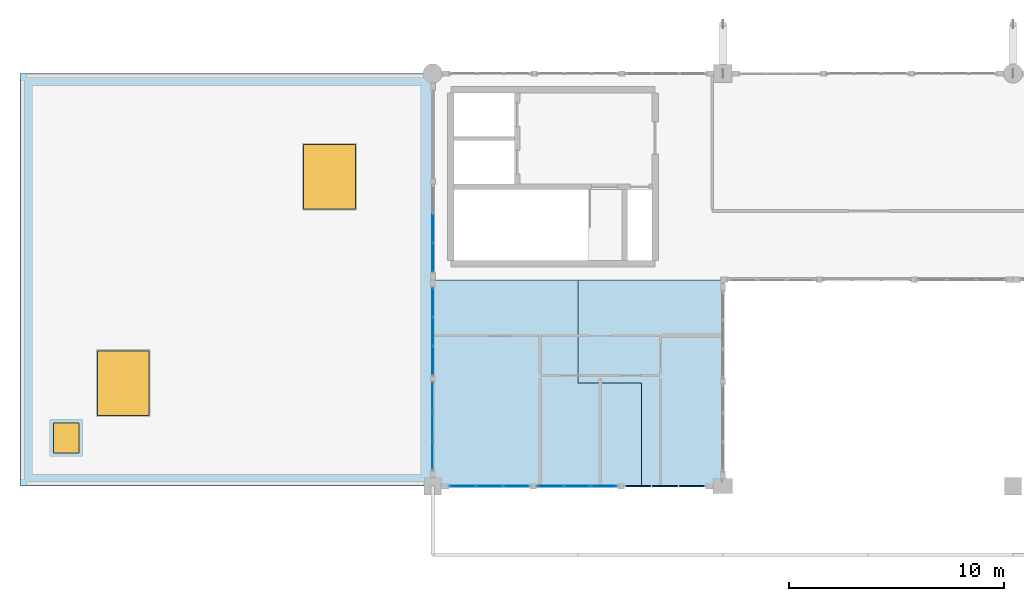
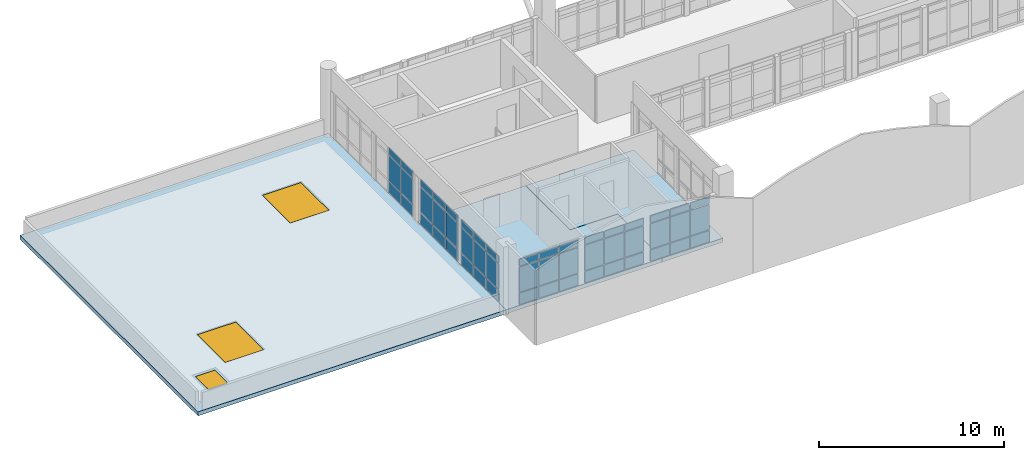
# One storey, part 23 of 37: 51 plates, 3 slabs, 3 windows, 3 openings, 6 elements without a shape of their own.
"""IFC4 building model written with IfcOpenShell, lengths in metres."""

from ifc_helpers import new_model, si_unit, direction, frame, origin, origin_2d, place, context, subcontext, project, spatial, polyline, rectangle, outline, extrude, material, layer, layer_set, type_object, element, fill, aggregate, save


model = new_model("IFC4")

# Units and contexts
model_context = context("Model", 3, precision=1e-05, world=origin(), true_north=direction((0.0, 1.0)))
body_context = subcontext(model_context, "Body", "Model", "MODEL_VIEW")
ifc_project = project(units=[si_unit("LENGTHUNIT", "METRE"), si_unit("AREAUNIT", "SQUARE_METRE"), si_unit("VOLUMEUNIT", "CUBIC_METRE"), si_unit("PLANEANGLEUNIT", "RADIAN"), si_unit("MASSUNIT", "GRAM", prefix="KILO")], contexts=[model_context])

# Site, building, storey
site_placement = place(None, origin())
site = spatial("IfcSite", under=ifc_project, at=site_placement, CompositionType="ELEMENT")
building_placement = place(site_placement, origin())
building = spatial("IfcBuilding", under=site, at=building_placement, Name="Fikremerkos Civic Library", CompositionType="ELEMENT")
storey_placement = place(building_placement, frame((0.0, 0.0, 23.39990234375)))
storey = spatial("IfcBuildingStorey", under=building, at=storey_placement, Name="L05", CompositionType="ELEMENT", Elevation=23.39990234375)

# Curtain wall, plates
ifc_material_1 = material(Name="Anodized aluminium Frame", Category="aluminium")
ifc_layer_1 = layer(ifc_material_1, 0.159912109375, Name="Anodized aluminium Frame")
ifc_layer_set_1 = layer_set([ifc_layer_1], Name="Anodized aluminium Frame")
curtain_wall_type_1 = type_object("IfcCurtainWallType", Name="Unitised curtain wall CW-17 4600x3600", PredefinedType="USERDEFINED", material=ifc_layer_set_1)
curtain_wall_1_placement = place(storey_placement, origin())
curtain_wall_1 = element("IfcCurtainWall", 1, at=curtain_wall_1_placement, inside=storey, type_object=curtain_wall_type_1, Name="Unitised curtain wall CW-17 L05 #251", ObjectType="UNITISED CURTAIN WALL", PredefinedType="USERDEFINED")
ifc_material_2 = material(Name="Solar control double glazing", Category="glass")
ifc_layer_2 = layer(ifc_material_2, 0.028076171875, Name="Solar control double glazing")
ifc_layer_set_2 = layer_set([ifc_layer_2], Name="Solar control double glazing")
plate_type_1 = type_object("IfcPlateType", Name="Curtain glazing panel CWP-01 28", PredefinedType="CURTAIN_PANEL", material=ifc_layer_set_2)
plate_1_placement = place(storey_placement, frame((27.17041015625, 12.0, 0.070068359375), z_axis=(0.0, 0.0, 1.0), x_axis=(-1.0, 0.0, 0.0)))
plate_1 = element("IfcPlate", 2, at=plate_1_placement, type_object=plate_type_1, Name="CW-17 panel 1.1", PredefinedType="CURTAIN_PANEL", context=body_context, shape_type="SweptSolid", body=[
    extrude(rectangle(XDim=1.1640625, YDim=0.028076171875, at=origin_2d()), origin(), (0.0, 0.0, 1.0), 0.7451171875),
])
plate_2_placement = place(storey_placement, frame((27.17041015625, 12.0, 0.88525390625), z_axis=(0.0, 0.0, 1.0), x_axis=(-1.0, 0.0, 0.0)))
plate_2 = element("IfcPlate", 3, at=plate_2_placement, type_object=plate_type_1, Name="CW-17 panel 1.2", PredefinedType="CURTAIN_PANEL", context=body_context, shape_type="SweptSolid", body=[
    extrude(rectangle(XDim=1.1640625, YDim=0.028076171875, at=origin_2d()), origin(), (0.0, 0.0, 1.0), 1.64990234375),
])
plate_3_placement = place(storey_placement, frame((27.17041015625, 12.0, 2.60498046875), z_axis=(0.0, 0.0, 1.0), x_axis=(-1.0, 0.0, 0.0)))
plate_3 = element("IfcPlate", 4, at=plate_3_placement, type_object=plate_type_1, Name="CW-17 panel 1.3", PredefinedType="CURTAIN_PANEL", context=body_context, shape_type="SweptSolid", body=[
    extrude(rectangle(XDim=1.1640625, YDim=0.028076171875, at=origin_2d()), origin(), (0.0, 0.0, 1.0), 0.445068359375),
])
plate_4_placement = place(storey_placement, frame((25.925048828125, 12.0, 0.070068359375), z_axis=(0.0, 0.0, 1.0), x_axis=(-1.0, 0.0, 0.0)))
plate_4 = element("IfcPlate", 5, at=plate_4_placement, type_object=plate_type_1, Name="CW-17 panel 2.1", PredefinedType="CURTAIN_PANEL", context=body_context, shape_type="SweptSolid", body=[
    extrude(rectangle(XDim=1.196533203125, YDim=0.028076171875, at=origin_2d()), origin(), (0.0, 0.0, 1.0), 0.7451171875),
])
plate_5_placement = place(storey_placement, frame((25.925048828125, 12.0, 0.88525390625), z_axis=(0.0, 0.0, 1.0), x_axis=(-1.0, 0.0, 0.0)))
plate_5 = element("IfcPlate", 6, at=plate_5_placement, type_object=plate_type_1, Name="CW-17 panel 2.2", PredefinedType="CURTAIN_PANEL", context=body_context, shape_type="SweptSolid", body=[
    extrude(rectangle(XDim=1.196533203125, YDim=0.028076171875, at=origin_2d()), origin(), (0.0, 0.0, 1.0), 1.64990234375),
])
plate_6_placement = place(storey_placement, frame((25.925048828125, 12.0, 2.60498046875), z_axis=(0.0, 0.0, 1.0), x_axis=(-1.0, 0.0, 0.0)))
plate_6 = element("IfcPlate", 7, at=plate_6_placement, type_object=plate_type_1, Name="CW-17 panel 2.3", PredefinedType="CURTAIN_PANEL", context=body_context, shape_type="SweptSolid", body=[
    extrude(rectangle(XDim=1.196533203125, YDim=0.028076171875, at=origin_2d()), origin(), (0.0, 0.0, 1.0), 0.445068359375),
])
plate_7_placement = place(storey_placement, frame((24.6796875, 12.0, 0.070068359375), z_axis=(0.0, 0.0, 1.0), x_axis=(-1.0, 0.0, 0.0)))
plate_7 = element("IfcPlate", 8, at=plate_7_placement, type_object=plate_type_1, Name="CW-17 panel 3.1", PredefinedType="CURTAIN_PANEL", context=body_context, shape_type="SweptSolid", body=[
    extrude(rectangle(XDim=1.1640625, YDim=0.028076171875, at=origin_2d()), origin(), (0.0, 0.0, 1.0), 0.7451171875),
])
plate_8_placement = place(storey_placement, frame((24.6796875, 12.0, 0.88525390625), z_axis=(0.0, 0.0, 1.0), x_axis=(-1.0, 0.0, 0.0)))
plate_8 = element("IfcPlate", 9, at=plate_8_placement, type_object=plate_type_1, Name="CW-17 panel 3.2", PredefinedType="CURTAIN_PANEL", context=body_context, shape_type="SweptSolid", body=[
    extrude(rectangle(XDim=1.1640625, YDim=0.028076171875, at=origin_2d()), origin(), (0.0, 0.0, 1.0), 1.64990234375),
])
plate_9_placement = place(storey_placement, frame((24.6796875, 12.0, 2.60498046875), z_axis=(0.0, 0.0, 1.0), x_axis=(-1.0, 0.0, 0.0)))
plate_9 = element("IfcPlate", 10, at=plate_9_placement, type_object=plate_type_1, Name="CW-17 panel 3.3", PredefinedType="CURTAIN_PANEL", context=body_context, shape_type="SweptSolid", body=[
    extrude(rectangle(XDim=1.1640625, YDim=0.028076171875, at=origin_2d()), origin(), (0.0, 0.0, 1.0), 0.445068359375),
])
aggregate(curtain_wall_1, [plate_1, plate_2, plate_3, plate_4, plate_5, plate_6, plate_7, plate_8, plate_9])

ifc_layer_3 = layer(ifc_material_1, 0.159912109375, Name="Anodized aluminium Frame")
ifc_layer_set_3 = layer_set([ifc_layer_3], Name="Anodized aluminium Frame")
curtain_wall_type_2 = type_object("IfcCurtainWallType", Name="Unitised curtain wall CW-01 3600x3600", PredefinedType="USERDEFINED", material=ifc_layer_set_3)
curtain_wall_2_placement = place(storey_placement, origin())
curtain_wall_2 = element("IfcCurtainWall", 11, at=curtain_wall_2_placement, inside=storey, type_object=curtain_wall_type_2, Name="Unitised curtain wall CW-01 L05 #253", ObjectType="UNITISED CURTAIN WALL", PredefinedType="USERDEFINED")
plate_10_placement = place(storey_placement, frame((19.199951171875, 13.447509765625, 0.070068359375), z_axis=(0.0, 0.0, 1.0), x_axis=(0.0, 1.0, 0.0)))
plate_10 = element("IfcPlate", 12, at=plate_10_placement, type_object=plate_type_1, Name="CW-01 panel 1.1", PredefinedType="CURTAIN_PANEL", context=body_context, shape_type="SweptSolid", body=[
    extrude(rectangle(XDim=1.269287109375, YDim=0.028076171875, at=origin_2d()), origin(), (0.0, 0.0, 1.0), 0.7451171875),
])
plate_11_placement = place(storey_placement, frame((19.199951171875, 13.447509765625, 0.88525390625), z_axis=(0.0, 0.0, 1.0), x_axis=(0.0, 1.0, 0.0)))
plate_11 = element("IfcPlate", 13, at=plate_11_placement, type_object=plate_type_1, Name="CW-01 panel 1.2", PredefinedType="CURTAIN_PANEL", context=body_context, shape_type="SweptSolid", body=[
    extrude(rectangle(XDim=1.269287109375, YDim=0.028076171875, at=origin_2d()), origin(), (0.0, 0.0, 1.0), 1.64990234375),
])
plate_12_placement = place(storey_placement, frame((19.199951171875, 13.447509765625, 2.60498046875), z_axis=(0.0, 0.0, 1.0), x_axis=(0.0, 1.0, 0.0)))
plate_12 = element("IfcPlate", 14, at=plate_12_placement, type_object=plate_type_1, Name="CW-01 panel 1.3", PredefinedType="CURTAIN_PANEL", context=body_context, shape_type="SweptSolid", body=[
    extrude(rectangle(XDim=1.269287109375, YDim=0.028076171875, at=origin_2d()), origin(), (0.0, 0.0, 1.0), 0.445068359375),
])
plate_13_placement = place(storey_placement, frame((19.199951171875, 14.798095703125, 0.070068359375), z_axis=(0.0, 0.0, 1.0), x_axis=(0.0, 1.0, 0.0)))
plate_13 = element("IfcPlate", 15, at=plate_13_placement, type_object=plate_type_1, Name="CW-01 panel 2.1", PredefinedType="CURTAIN_PANEL", context=body_context, shape_type="SweptSolid", body=[
    extrude(rectangle(XDim=1.3017578125, YDim=0.028076171875, at=origin_2d()), origin(), (0.0, 0.0, 1.0), 0.7451171875),
])
plate_14_placement = place(storey_placement, frame((19.199951171875, 14.798095703125, 0.88525390625), z_axis=(0.0, 0.0, 1.0), x_axis=(0.0, 1.0, 0.0)))
plate_14 = element("IfcPlate", 16, at=plate_14_placement, type_object=plate_type_1, Name="CW-01 panel 2.2", PredefinedType="CURTAIN_PANEL", context=body_context, shape_type="SweptSolid", body=[
    extrude(rectangle(XDim=1.3017578125, YDim=0.028076171875, at=origin_2d()), origin(), (0.0, 0.0, 1.0), 1.64990234375),
])
plate_15_placement = place(storey_placement, frame((19.199951171875, 14.798095703125, 2.60498046875), z_axis=(0.0, 0.0, 1.0), x_axis=(0.0, 1.0, 0.0)))
plate_15 = element("IfcPlate", 17, at=plate_15_placement, type_object=plate_type_1, Name="CW-01 panel 2.3", PredefinedType="CURTAIN_PANEL", context=body_context, shape_type="SweptSolid", body=[
    extrude(rectangle(XDim=1.3017578125, YDim=0.028076171875, at=origin_2d()), origin(), (0.0, 0.0, 1.0), 0.445068359375),
])
plate_16_placement = place(storey_placement, frame((19.199951171875, 16.1484375, 0.070068359375), z_axis=(0.0, 0.0, 1.0), x_axis=(0.0, 1.0, 0.0)))
plate_16 = element("IfcPlate", 18, at=plate_16_placement, type_object=plate_type_1, Name="CW-01 panel 3.1", PredefinedType="CURTAIN_PANEL", context=body_context, shape_type="SweptSolid", body=[
    extrude(rectangle(XDim=1.269287109375, YDim=0.028076171875, at=origin_2d()), origin(), (0.0, 0.0, 1.0), 0.7451171875),
])
plate_17_placement = place(storey_placement, frame((19.199951171875, 16.1484375, 0.88525390625), z_axis=(0.0, 0.0, 1.0), x_axis=(0.0, 1.0, 0.0)))
plate_17 = element("IfcPlate", 19, at=plate_17_placement, type_object=plate_type_1, Name="CW-01 panel 3.2", PredefinedType="CURTAIN_PANEL", context=body_context, shape_type="SweptSolid", body=[
    extrude(rectangle(XDim=1.269287109375, YDim=0.028076171875, at=origin_2d()), origin(), (0.0, 0.0, 1.0), 1.64990234375),
])
plate_18_placement = place(storey_placement, frame((19.199951171875, 16.1484375, 2.60498046875), z_axis=(0.0, 0.0, 1.0), x_axis=(0.0, 1.0, 0.0)))
plate_18 = element("IfcPlate", 20, at=plate_18_placement, type_object=plate_type_1, Name="CW-01 panel 3.3", PredefinedType="CURTAIN_PANEL", context=body_context, shape_type="SweptSolid", body=[
    extrude(rectangle(XDim=1.269287109375, YDim=0.028076171875, at=origin_2d()), origin(), (0.0, 0.0, 1.0), 0.445068359375),
])
aggregate(curtain_wall_2, [plate_10, plate_11, plate_12, plate_13, plate_14, plate_15, plate_16, plate_17, plate_18])

ifc_layer_4 = layer(ifc_material_1, 0.159912109375, Name="Anodized aluminium Frame")
ifc_layer_set_4 = layer_set([ifc_layer_4], Name="Anodized aluminium Frame")
curtain_wall_type_3 = type_object("IfcCurtainWallType", Name="Unitised curtain wall CW-18 2700x3400", PredefinedType="USERDEFINED", material=ifc_layer_set_4)
curtain_wall_3_placement = place(storey_placement, origin())
curtain_wall_3 = element("IfcCurtainWall", 21, at=curtain_wall_3_placement, inside=storey, type_object=curtain_wall_type_3, Name="Unitised curtain wall CW-18 L05 #252", ObjectType="UNITISED CURTAIN WALL", PredefinedType="USERDEFINED")
ifc_layer_5 = layer(ifc_material_2, 0.035888671875, Name="Solar control double glazing")
ifc_layer_set_5 = layer_set([ifc_layer_5], Name="Solar control double glazing")
plate_type_2 = type_object("IfcPlateType", Name="Curtain glazing panel CWP-02 36", PredefinedType="CURTAIN_PANEL", material=ifc_layer_set_5)
plate_19_placement = place(storey_placement, frame((23.0869140625, 12.0, 0.070068359375), z_axis=(0.0, 0.0, 1.0), x_axis=(-1.0, 0.0, 0.0)))
plate_19 = element("IfcPlate", 22, at=plate_19_placement, type_object=plate_type_2, Name="CW-18 panel 1.1", PredefinedType="CURTAIN_PANEL", context=body_context, shape_type="SweptSolid", body=[
    extrude(rectangle(XDim=1.171630859375, YDim=0.035888671875, at=origin_2d()), origin(), (0.0, 0.0, 1.0), 0.7451171875),
])
plate_20_placement = place(storey_placement, frame((23.0869140625, 12.0, 0.88525390625), z_axis=(0.0, 0.0, 1.0), x_axis=(-1.0, 0.0, 0.0)))
plate_20 = element("IfcPlate", 23, at=plate_20_placement, type_object=plate_type_2, Name="CW-18 panel 1.2", PredefinedType="CURTAIN_PANEL", context=body_context, shape_type="SweptSolid", body=[
    extrude(rectangle(XDim=1.171630859375, YDim=0.035888671875, at=origin_2d()), origin(), (0.0, 0.0, 1.0), 1.64990234375),
])
plate_21_placement = place(storey_placement, frame((23.0869140625, 12.0, 2.60498046875), z_axis=(0.0, 0.0, 1.0), x_axis=(-1.0, 0.0, 0.0)))
plate_21 = element("IfcPlate", 24, at=plate_21_placement, type_object=plate_type_2, Name="CW-18 panel 1.3", PredefinedType="CURTAIN_PANEL", context=body_context, shape_type="SweptSolid", body=[
    extrude(rectangle(XDim=1.171630859375, YDim=0.035888671875, at=origin_2d()), origin(), (0.0, 0.0, 1.0), 0.445068359375),
])
plate_22_placement = place(storey_placement, frame((21.84033203125, 12.0, 0.070068359375), z_axis=(0.0, 0.0, 1.0), x_axis=(-1.0, 0.0, 0.0)))
plate_22 = element("IfcPlate", 25, at=plate_22_placement, type_object=plate_type_2, Name="CW-18 panel 2.1", PredefinedType="CURTAIN_PANEL", context=body_context, shape_type="SweptSolid", body=[
    extrude(rectangle(XDim=1.20166015625, YDim=0.035888671875, at=origin_2d()), origin(), (0.0, 0.0, 1.0), 0.7451171875),
])
plate_23_placement = place(storey_placement, frame((21.84033203125, 12.0, 0.88525390625), z_axis=(0.0, 0.0, 1.0), x_axis=(-1.0, 0.0, 0.0)))
plate_23 = element("IfcPlate", 26, at=plate_23_placement, type_object=plate_type_2, Name="CW-18 panel 2.2", PredefinedType="CURTAIN_PANEL", context=body_context, shape_type="SweptSolid", body=[
    extrude(rectangle(XDim=1.20166015625, YDim=0.035888671875, at=origin_2d()), origin(), (0.0, 0.0, 1.0), 1.64990234375),
])
plate_24_placement = place(storey_placement, frame((21.84033203125, 12.0, 2.60498046875), z_axis=(0.0, 0.0, 1.0), x_axis=(-1.0, 0.0, 0.0)))
plate_24 = element("IfcPlate", 27, at=plate_24_placement, type_object=plate_type_2, Name="CW-18 panel 2.3", PredefinedType="CURTAIN_PANEL", context=body_context, shape_type="SweptSolid", body=[
    extrude(rectangle(XDim=1.20166015625, YDim=0.035888671875, at=origin_2d()), origin(), (0.0, 0.0, 1.0), 0.445068359375),
])
plate_25_placement = place(storey_placement, frame((20.59375, 12.0, 0.070068359375), z_axis=(0.0, 0.0, 1.0), x_axis=(-1.0, 0.0, 0.0)))
plate_25 = element("IfcPlate", 28, at=plate_25_placement, type_object=plate_type_2, Name="CW-18 panel 3.1", PredefinedType="CURTAIN_PANEL", context=body_context, shape_type="SweptSolid", body=[
    extrude(rectangle(XDim=1.171630859375, YDim=0.035888671875, at=origin_2d()), origin(), (0.0, 0.0, 1.0), 0.7451171875),
])
plate_26_placement = place(storey_placement, frame((20.59375, 12.0, 0.88525390625), z_axis=(0.0, 0.0, 1.0), x_axis=(-1.0, 0.0, 0.0)))
plate_26 = element("IfcPlate", 29, at=plate_26_placement, type_object=plate_type_2, Name="CW-18 panel 3.2", PredefinedType="CURTAIN_PANEL", context=body_context, shape_type="SweptSolid", body=[
    extrude(rectangle(XDim=1.171630859375, YDim=0.035888671875, at=origin_2d()), origin(), (0.0, 0.0, 1.0), 1.64990234375),
])
plate_27_placement = place(storey_placement, frame((20.59375, 12.0, 2.60498046875), z_axis=(0.0, 0.0, 1.0), x_axis=(-1.0, 0.0, 0.0)))
plate_27 = element("IfcPlate", 30, at=plate_27_placement, type_object=plate_type_2, Name="CW-18 panel 3.3", PredefinedType="CURTAIN_PANEL", context=body_context, shape_type="SweptSolid", body=[
    extrude(rectangle(XDim=1.171630859375, YDim=0.035888671875, at=origin_2d()), origin(), (0.0, 0.0, 1.0), 0.445068359375),
])
aggregate(curtain_wall_3, [plate_19, plate_20, plate_21, plate_22, plate_23, plate_24, plate_25, plate_26, plate_27])

ifc_layer_6 = layer(ifc_material_1, 0.159912109375, Name="Anodized aluminium Frame")
ifc_layer_set_6 = layer_set([ifc_layer_6], Name="Anodized aluminium Frame")
curtain_wall_type_4 = type_object("IfcCurtainWallType", Name="Unitised curtain wall CW-02 3900x3600", PredefinedType="USERDEFINED", material=ifc_layer_set_6)
curtain_wall_4_placement = place(storey_placement, origin())
curtain_wall_4 = element("IfcCurtainWall", 31, at=curtain_wall_4_placement, inside=storey, type_object=curtain_wall_type_4, Name="Unitised curtain wall CW-02 L05 #254", ObjectType="UNITISED CURTAIN WALL", PredefinedType="USERDEFINED")
plate_28_placement = place(storey_placement, frame((19.199951171875, 17.846435546875, 0.070068359375), z_axis=(0.0, 0.0, 1.0), x_axis=(0.0, 1.0, 0.0)))
plate_28 = element("IfcPlate", 32, at=plate_28_placement, type_object=plate_type_2, Name="CW-02 panel 1.1", PredefinedType="CURTAIN_PANEL", context=body_context, shape_type="SweptSolid", body=[
    extrude(rectangle(XDim=1.276611328125, YDim=0.035888671875, at=origin_2d()), origin(), (0.0, 0.0, 1.0), 0.7451171875),
])
plate_29_placement = place(storey_placement, frame((19.199951171875, 17.846435546875, 0.88525390625), z_axis=(0.0, 0.0, 1.0), x_axis=(0.0, 1.0, 0.0)))
plate_29 = element("IfcPlate", 33, at=plate_29_placement, type_object=plate_type_2, Name="CW-02 panel 1.2", PredefinedType="CURTAIN_PANEL", context=body_context, shape_type="SweptSolid", body=[
    extrude(rectangle(XDim=1.276611328125, YDim=0.035888671875, at=origin_2d()), origin(), (0.0, 0.0, 1.0), 1.64990234375),
])
plate_30_placement = place(storey_placement, frame((19.199951171875, 17.846435546875, 2.60498046875), z_axis=(0.0, 0.0, 1.0), x_axis=(0.0, 1.0, 0.0)))
plate_30 = element("IfcPlate", 34, at=plate_30_placement, type_object=plate_type_2, Name="CW-02 panel 1.3", PredefinedType="CURTAIN_PANEL", context=body_context, shape_type="SweptSolid", body=[
    extrude(rectangle(XDim=1.276611328125, YDim=0.035888671875, at=origin_2d()), origin(), (0.0, 0.0, 1.0), 0.445068359375),
])
plate_31_placement = place(storey_placement, frame((19.199951171875, 19.197998046875, 0.070068359375), z_axis=(0.0, 0.0, 1.0), x_axis=(0.0, 1.0, 0.0)))
plate_31 = element("IfcPlate", 35, at=plate_31_placement, type_object=plate_type_2, Name="CW-02 panel 2.1", PredefinedType="CURTAIN_PANEL", context=body_context, shape_type="SweptSolid", body=[
    extrude(rectangle(XDim=1.306640625, YDim=0.035888671875, at=origin_2d()), origin(), (0.0, 0.0, 1.0), 0.7451171875),
])
plate_32_placement = place(storey_placement, frame((19.199951171875, 19.197998046875, 0.88525390625), z_axis=(0.0, 0.0, 1.0), x_axis=(0.0, 1.0, 0.0)))
plate_32 = element("IfcPlate", 36, at=plate_32_placement, type_object=plate_type_2, Name="CW-02 panel 2.2", PredefinedType="CURTAIN_PANEL", context=body_context, shape_type="SweptSolid", body=[
    extrude(rectangle(XDim=1.306640625, YDim=0.035888671875, at=origin_2d()), origin(), (0.0, 0.0, 1.0), 1.64990234375),
])
plate_33_placement = place(storey_placement, frame((19.199951171875, 19.197998046875, 2.60498046875), z_axis=(0.0, 0.0, 1.0), x_axis=(0.0, 1.0, 0.0)))
plate_33 = element("IfcPlate", 37, at=plate_33_placement, type_object=plate_type_2, Name="CW-02 panel 2.3", PredefinedType="CURTAIN_PANEL", context=body_context, shape_type="SweptSolid", body=[
    extrude(rectangle(XDim=1.306640625, YDim=0.035888671875, at=origin_2d()), origin(), (0.0, 0.0, 1.0), 0.445068359375),
])
plate_34_placement = place(storey_placement, frame((19.199951171875, 20.549560546875, 0.070068359375), z_axis=(0.0, 0.0, 1.0), x_axis=(0.0, 1.0, 0.0)))
plate_34 = element("IfcPlate", 38, at=plate_34_placement, type_object=plate_type_2, Name="CW-02 panel 3.1", PredefinedType="CURTAIN_PANEL", context=body_context, shape_type="SweptSolid", body=[
    extrude(rectangle(XDim=1.276611328125, YDim=0.035888671875, at=origin_2d()), origin(), (0.0, 0.0, 1.0), 0.7451171875),
])
plate_35_placement = place(storey_placement, frame((19.199951171875, 20.549560546875, 0.88525390625), z_axis=(0.0, 0.0, 1.0), x_axis=(0.0, 1.0, 0.0)))
plate_35 = element("IfcPlate", 39, at=plate_35_placement, type_object=plate_type_2, Name="CW-02 panel 3.2", PredefinedType="CURTAIN_PANEL", context=body_context, shape_type="SweptSolid", body=[
    extrude(rectangle(XDim=1.276611328125, YDim=0.035888671875, at=origin_2d()), origin(), (0.0, 0.0, 1.0), 1.64990234375),
])
plate_36_placement = place(storey_placement, frame((19.199951171875, 20.549560546875, 2.60498046875), z_axis=(0.0, 0.0, 1.0), x_axis=(0.0, 1.0, 0.0)))
plate_36 = element("IfcPlate", 40, at=plate_36_placement, type_object=plate_type_2, Name="CW-02 panel 3.3", PredefinedType="CURTAIN_PANEL", context=body_context, shape_type="SweptSolid", body=[
    extrude(rectangle(XDim=1.276611328125, YDim=0.035888671875, at=origin_2d()), origin(), (0.0, 0.0, 1.0), 0.445068359375),
])
aggregate(curtain_wall_4, [plate_28, plate_29, plate_30, plate_31, plate_32, plate_33, plate_34, plate_35, plate_36])

ifc_layer_7 = layer(ifc_material_1, 0.159912109375, Name="Anodized aluminium Frame")
ifc_layer_set_7 = layer_set([ifc_layer_7], Name="Anodized aluminium Frame")
curtain_wall_type_5 = type_object("IfcCurtainWallType", Name="Unitised curtain wall CW-03 4100x3600", PredefinedType="USERDEFINED", material=ifc_layer_set_7)
curtain_wall_5_placement = place(storey_placement, origin())
curtain_wall_5 = element("IfcCurtainWall", 41, at=curtain_wall_5_placement, inside=storey, type_object=curtain_wall_type_5, Name="Unitised curtain wall CW-03 L05 #255", ObjectType="UNITISED CURTAIN WALL", PredefinedType="USERDEFINED")
ifc_material_3 = material(Name="Insulated aluminium spandrel", Category="aluminium")
ifc_layer_8 = layer(ifc_material_3, 0.044921875, Name="Insulated aluminium spandrel")
ifc_layer_set_8 = layer_set([ifc_layer_8], Name="Insulated aluminium spandrel")
plate_type_3 = type_object("IfcPlateType", Name="Curtain spandrel panel CSP-01 45", PredefinedType="CURTAIN_PANEL", material=ifc_layer_set_8)
plate_37_placement = place(storey_placement, frame((19.199951171875, 22.646240234375, 0.065185546875), z_axis=(0.0, 0.0, 1.0), x_axis=(0.0, 1.0, 0.0)))
plate_37 = element("IfcPlate", 42, at=plate_37_placement, type_object=plate_type_3, Name="CW-03 panel 1.1", PredefinedType="CURTAIN_PANEL", context=body_context, shape_type="SweptSolid", body=[
    extrude(rectangle(XDim=1.268310546875, YDim=0.044921875, at=origin_2d()), origin(), (0.0, 0.0, 1.0), 0.75244140625),
])
plate_38_placement = place(storey_placement, frame((19.199951171875, 22.646240234375, 0.8828125), z_axis=(0.0, 0.0, 1.0), x_axis=(0.0, 1.0, 0.0)))
plate_38 = element("IfcPlate", 43, at=plate_38_placement, type_object=plate_type_3, Name="CW-03 panel 1.2", PredefinedType="CURTAIN_PANEL", context=body_context, shape_type="SweptSolid", body=[
    extrude(rectangle(XDim=1.268310546875, YDim=0.044921875, at=origin_2d()), origin(), (0.0, 0.0, 1.0), 1.655029296875),
])
plate_39_placement = place(storey_placement, frame((19.199951171875, 22.646240234375, 2.6025390625), z_axis=(0.0, 0.0, 1.0), x_axis=(0.0, 1.0, 0.0)))
plate_39 = element("IfcPlate", 44, at=plate_39_placement, type_object=plate_type_3, Name="CW-03 panel 1.3", PredefinedType="CURTAIN_PANEL", context=body_context, shape_type="SweptSolid", body=[
    extrude(rectangle(XDim=1.268310546875, YDim=0.044921875, at=origin_2d()), origin(), (0.0, 0.0, 1.0), 0.452392578125),
])
plate_40_placement = place(storey_placement, frame((19.199951171875, 23.989501953125, 0.065185546875), z_axis=(0.0, 0.0, 1.0), x_axis=(0.0, 1.0, 0.0)))
plate_40 = element("IfcPlate", 45, at=plate_40_placement, type_object=plate_type_3, Name="CW-03 panel 2.1", PredefinedType="CURTAIN_PANEL", context=body_context, shape_type="SweptSolid", body=[
    extrude(rectangle(XDim=1.29833984375, YDim=0.044921875, at=origin_2d()), origin(), (0.0, 0.0, 1.0), 0.75244140625),
])
plate_41_placement = place(storey_placement, frame((19.199951171875, 23.989501953125, 0.8828125), z_axis=(0.0, 0.0, 1.0), x_axis=(0.0, 1.0, 0.0)))
plate_41 = element("IfcPlate", 46, at=plate_41_placement, type_object=plate_type_3, Name="CW-03 panel 2.2", PredefinedType="CURTAIN_PANEL", context=body_context, shape_type="SweptSolid", body=[
    extrude(rectangle(XDim=1.29833984375, YDim=0.044921875, at=origin_2d()), origin(), (0.0, 0.0, 1.0), 1.655029296875),
])
plate_42_placement = place(storey_placement, frame((19.199951171875, 23.989501953125, 2.6025390625), z_axis=(0.0, 0.0, 1.0), x_axis=(0.0, 1.0, 0.0)))
plate_42 = element("IfcPlate", 47, at=plate_42_placement, type_object=plate_type_3, Name="CW-03 panel 2.3", PredefinedType="CURTAIN_PANEL", context=body_context, shape_type="SweptSolid", body=[
    extrude(rectangle(XDim=1.29833984375, YDim=0.044921875, at=origin_2d()), origin(), (0.0, 0.0, 1.0), 0.452392578125),
])
aggregate(curtain_wall_5, [plate_37, plate_38, plate_39, plate_40, plate_41, plate_42])

ifc_layer_9 = layer(ifc_material_1, 0.159912109375, Name="Anodized aluminium Frame")
ifc_layer_set_9 = layer_set([ifc_layer_9], Name="Anodized aluminium Frame")
curtain_wall_type_6 = type_object("IfcCurtainWallType", Name="Unitised curtain wall CW-16 3100x4100", PredefinedType="USERDEFINED", material=ifc_layer_set_9)
curtain_wall_6_placement = place(storey_placement, origin())
curtain_wall_6 = element("IfcCurtainWall", 48, at=curtain_wall_6_placement, inside=storey, type_object=curtain_wall_type_6, Name="Unitised curtain wall CW-16 L05 #250", ObjectType="UNITISED CURTAIN WALL", PredefinedType="USERDEFINED")
ifc_layer_10 = layer(ifc_material_3, 0.054931640625, Name="Insulated aluminium spandrel")
ifc_layer_set_10 = layer_set([ifc_layer_10], Name="Insulated aluminium spandrel")
plate_type_4 = type_object("IfcPlateType", Name="Curtain spandrel panel CSP-02 55", PredefinedType="CURTAIN_PANEL", material=ifc_layer_set_10)
plate_43_placement = place(storey_placement, frame((31.256103515625, 12.0, 0.070068359375), z_axis=(0.0, 0.0, 1.0), x_axis=(-1.0, 0.0, 0.0)))
plate_43 = element("IfcPlate", 49, at=plate_43_placement, type_object=plate_type_4, Name="CW-16 panel 1.1", PredefinedType="CURTAIN_PANEL", context=body_context, shape_type="SweptSolid", body=[
    extrude(rectangle(XDim=1.171630859375, YDim=0.054931640625, at=origin_2d()), origin(), (0.0, 0.0, 1.0), 0.7451171875),
])
plate_44_placement = place(storey_placement, frame((31.256103515625, 12.0, 0.88525390625), z_axis=(0.0, 0.0, 1.0), x_axis=(-1.0, 0.0, 0.0)))
plate_44 = element("IfcPlate", 50, at=plate_44_placement, type_object=plate_type_4, Name="CW-16 panel 1.2", PredefinedType="CURTAIN_PANEL", context=body_context, shape_type="SweptSolid", body=[
    extrude(rectangle(XDim=1.171630859375, YDim=0.054931640625, at=origin_2d()), origin(), (0.0, 0.0, 1.0), 1.64990234375),
])
plate_45_placement = place(storey_placement, frame((31.256103515625, 12.0, 2.60498046875), z_axis=(0.0, 0.0, 1.0), x_axis=(-1.0, 0.0, 0.0)))
plate_45 = element("IfcPlate", 51, at=plate_45_placement, type_object=plate_type_4, Name="CW-16 panel 1.3", PredefinedType="CURTAIN_PANEL", context=body_context, shape_type="SweptSolid", body=[
    extrude(rectangle(XDim=1.171630859375, YDim=0.054931640625, at=origin_2d()), origin(), (0.0, 0.0, 1.0), 0.445068359375),
])
plate_46_placement = place(storey_placement, frame((30.009765625, 12.0, 0.070068359375), z_axis=(0.0, 0.0, 1.0), x_axis=(-1.0, 0.0, 0.0)))
plate_46 = element("IfcPlate", 52, at=plate_46_placement, type_object=plate_type_4, Name="CW-16 panel 2.1", PredefinedType="CURTAIN_PANEL", context=body_context, shape_type="SweptSolid", body=[
    extrude(rectangle(XDim=1.20166015625, YDim=0.054931640625, at=origin_2d()), origin(), (0.0, 0.0, 1.0), 0.7451171875),
])
plate_47_placement = place(storey_placement, frame((30.009765625, 12.0, 0.88525390625), z_axis=(0.0, 0.0, 1.0), x_axis=(-1.0, 0.0, 0.0)))
plate_47 = element("IfcPlate", 53, at=plate_47_placement, type_object=plate_type_4, Name="CW-16 panel 2.2", PredefinedType="CURTAIN_PANEL", context=body_context, shape_type="SweptSolid", body=[
    extrude(rectangle(XDim=1.20166015625, YDim=0.054931640625, at=origin_2d()), origin(), (0.0, 0.0, 1.0), 1.64990234375),
])
plate_48_placement = place(storey_placement, frame((30.009765625, 12.0, 2.60498046875), z_axis=(0.0, 0.0, 1.0), x_axis=(-1.0, 0.0, 0.0)))
plate_48 = element("IfcPlate", 54, at=plate_48_placement, type_object=plate_type_4, Name="CW-16 panel 2.3", PredefinedType="CURTAIN_PANEL", context=body_context, shape_type="SweptSolid", body=[
    extrude(rectangle(XDim=1.20166015625, YDim=0.054931640625, at=origin_2d()), origin(), (0.0, 0.0, 1.0), 0.445068359375),
])
plate_49_placement = place(storey_placement, frame((28.76318359375, 12.0, 0.070068359375), z_axis=(0.0, 0.0, 1.0), x_axis=(-1.0, 0.0, 0.0)))
plate_49 = element("IfcPlate", 55, at=plate_49_placement, type_object=plate_type_4, Name="CW-16 panel 3.1", PredefinedType="CURTAIN_PANEL", context=body_context, shape_type="SweptSolid", body=[
    extrude(rectangle(XDim=1.171630859375, YDim=0.054931640625, at=origin_2d()), origin(), (0.0, 0.0, 1.0), 0.7451171875),
])
plate_50_placement = place(storey_placement, frame((28.76318359375, 12.0, 0.88525390625), z_axis=(0.0, 0.0, 1.0), x_axis=(-1.0, 0.0, 0.0)))
plate_50 = element("IfcPlate", 56, at=plate_50_placement, type_object=plate_type_4, Name="CW-16 panel 3.2", PredefinedType="CURTAIN_PANEL", context=body_context, shape_type="SweptSolid", body=[
    extrude(rectangle(XDim=1.171630859375, YDim=0.054931640625, at=origin_2d()), origin(), (0.0, 0.0, 1.0), 1.64990234375),
])
plate_51_placement = place(storey_placement, frame((28.76318359375, 12.0, 2.60498046875), z_axis=(0.0, 0.0, 1.0), x_axis=(-1.0, 0.0, 0.0)))
plate_51 = element("IfcPlate", 57, at=plate_51_placement, type_object=plate_type_4, Name="CW-16 panel 3.3", PredefinedType="CURTAIN_PANEL", context=body_context, shape_type="SweptSolid", body=[
    extrude(rectangle(XDim=1.171630859375, YDim=0.054931640625, at=origin_2d()), origin(), (0.0, 0.0, 1.0), 0.445068359375),
])
aggregate(curtain_wall_6, [plate_43, plate_44, plate_45, plate_46, plate_47, plate_48, plate_49, plate_50, plate_51])

# Slabs
ifc_material_4 = material(Name="Concrete C40/50", Category="concrete")
ifc_layer_11 = layer(ifc_material_4, 0.260009765625, Name="Concrete C40/50")
ifc_layer_set_11 = layer_set([ifc_layer_11], Name="Concrete C40/50")
slab_type_1 = type_object("IfcSlabType", Name="Suspended floor slab SFS-05 260", PredefinedType="FLOOR", material=ifc_layer_set_11)
slab_1_placement = place(storey_placement, frame((0.0, 0.0, -0.260009765625)))
element("IfcSlab", 58, at=slab_1_placement, inside=storey, type_object=slab_type_1, Name="Floor slab SFS-05 SLB-L05-V1-W-1L1", PredefinedType="FLOOR", context=body_context, shape_type="SweptSolid", body=[
    extrude(outline(polyline([(19.199951171875, 12.0), (28.916015625, 12.0), (28.916015625, 16.7958984375), (25.946044921875, 16.7958984375), (25.946044921875, 21.60009765625), (19.199951171875, 21.60009765625), (19.199951171875, 12.0)])), origin(), (0.0, 0.0, 1.0), 0.260009765625),
])
slab_2_placement = place(storey_placement, frame((0.0, 0.0, -0.260009765625)))
element("IfcSlab", 59, at=slab_2_placement, inside=storey, type_object=slab_type_1, Name="Floor slab SFS-05 SLB-L05-V1-W-1L2", PredefinedType="FLOOR", context=body_context, shape_type="SweptSolid", body=[
    extrude(outline(polyline([(28.924072265625, 12.0), (32.699951171875, 12.0), (32.699951171875, 21.60009765625), (25.9541015625, 21.60009765625), (25.9541015625, 16.803955078125), (28.924072265625, 16.803955078125), (28.924072265625, 12.0)])), origin(), (0.0, 0.0, 1.0), 0.260009765625),
])

# Slab, openings, windows
ifc_layer_12 = layer(ifc_material_4, 0.260009765625, Name="Concrete C40/50")
ifc_layer_set_12 = layer_set([ifc_layer_12], Name="Concrete C40/50")
slab_type_2 = type_object("IfcSlabType", Name="Wing roof slab WRS-02 260", PredefinedType="ROOF", material=ifc_layer_set_12)
slab_3_placement = place(storey_placement, frame((0.0, 0.0, -0.260009765625)))
slab_3 = element("IfcSlab", 60, at=slab_3_placement, inside=storey, type_object=slab_type_2, Name="Wing roof slab WRS-02 RF-L05-V5S", PredefinedType="ROOF", context=body_context, shape_type="SweptSolid", body=[
    extrude(outline(polyline([(0.0, 12.0), (19.199951171875, 12.0), (19.199951171875, 31.199951171875), (0.0, 31.199951171875), (0.0, 12.0)])), origin(), (0.0, 0.0, 1.0), 0.260009765625),
])
opening_1_placement = place(slab_3_placement, frame((4.800048828125, 16.800048828125, 0.0)))
opening_1 = element("IfcOpeningElement", 61, at=opening_1_placement, cuts=slab_3, Name="Opening SKY-03", PredefinedType="OPENING", context=body_context, shape_type="SweptSolid", body=[
    extrude(rectangle(XDim=2.39990234375, YDim=3.0, at=origin_2d()), frame((0.0, 0.0, -0.010009765625), z_axis=(0.0, 0.0, 1.0), x_axis=(1.0, 0.0, 0.0)), (0.0, 0.0, 1.0), 0.280029296875),
])
opening_2_placement = place(slab_3_placement, frame((14.39990234375, 26.39990234375, 0.0)))
opening_2 = element("IfcOpeningElement", 62, at=opening_2_placement, cuts=slab_3, Name="Opening SKY-01", PredefinedType="OPENING", context=body_context, shape_type="SweptSolid", body=[
    extrude(rectangle(XDim=2.39990234375, YDim=3.0, at=origin_2d()), frame((0.0, 0.0, -0.010009765625), z_axis=(0.0, 0.0, 1.0), x_axis=(1.0, 0.0, 0.0)), (0.0, 0.0, 1.0), 0.280029296875),
])
opening_3_placement = place(slab_3_placement, frame((2.14990234375, 14.25, 0.0)))
opening_3 = element("IfcOpeningElement", 63, at=opening_3_placement, cuts=slab_3, Name="Opening SKY-04", PredefinedType="OPENING", context=body_context, shape_type="SweptSolid", body=[
    extrude(rectangle(XDim=1.199951171875, YDim=1.39990234375, at=origin_2d()), frame((0.0, 0.0, -0.010009765625), z_axis=(0.0, 0.0, 1.0), x_axis=(1.0, 0.0, 0.0)), (0.0, 0.0, 1.0), 0.280029296875),
])
ifc_material_5 = material(Name="Laminated solar control skylight glazing", Category="glass")
window_type_1 = type_object("IfcWindowType", Name="Roof skylight SKY-01 3600x4200", PartitioningType="SINGLE_PANEL", PredefinedType="SKYLIGHT", material=ifc_material_5)
window_1_placement = place(opening_2_placement, frame((0.0, 0.0, 0.195068359375)))
window_1 = element("IfcWindow", 64, at=window_1_placement, inside=storey, type_object=window_type_1, Name="Atrium roof skylight SKY-01 #10", OverallHeight=3.0, OverallWidth=2.39990234375, PartitioningType="SINGLE_PANEL", PredefinedType="SKYLIGHT", context=body_context, shape_type="SweptSolid", body=[
    extrude(rectangle(XDim=2.39990234375, YDim=3.0, at=origin_2d()), origin(), (0.0, 0.0, 1.0), 0.06494140625),
])
fill(opening_2, window_1)
window_type_2 = type_object("IfcWindowType", Name="Roof skylight SKY-03 2400x3000", PartitioningType="SINGLE_PANEL", PredefinedType="SKYLIGHT", material=ifc_material_5)
window_2_placement = place(opening_1_placement, frame((0.0, 0.0, 0.195068359375)))
window_2 = element("IfcWindow", 65, at=window_2_placement, inside=storey, type_object=window_type_2, Name="Atrium roof skylight SKY-03 #9", OverallHeight=3.0, OverallWidth=2.39990234375, PartitioningType="SINGLE_PANEL", PredefinedType="SKYLIGHT", context=body_context, shape_type="SweptSolid", body=[
    extrude(rectangle(XDim=2.39990234375, YDim=3.0, at=origin_2d()), origin(), (0.0, 0.0, 1.0), 0.06494140625),
])
fill(opening_1, window_2)
window_type_3 = type_object("IfcWindowType", Name="Roof skylight SKY-04 1200x1400", PartitioningType="SINGLE_PANEL", PredefinedType="SKYLIGHT", material=ifc_material_5)
window_3_placement = place(opening_3_placement, frame((0.0, 0.0, 0.195068359375)))
window_3 = element("IfcWindow", 66, at=window_3_placement, inside=storey, type_object=window_type_3, Name="Maintenance roof access skylight hatch SKY-04 RF-L05-V5S", OverallHeight=1.39990234375, OverallWidth=1.199951171875, PartitioningType="SINGLE_PANEL", PredefinedType="SKYLIGHT", context=body_context, shape_type="SweptSolid", body=[
    extrude(rectangle(XDim=1.199951171875, YDim=1.39990234375, at=origin_2d()), origin(), (0.0, 0.0, 1.0), 0.06494140625),
])
fill(opening_3, window_3)

save(model, "model.ifc")
